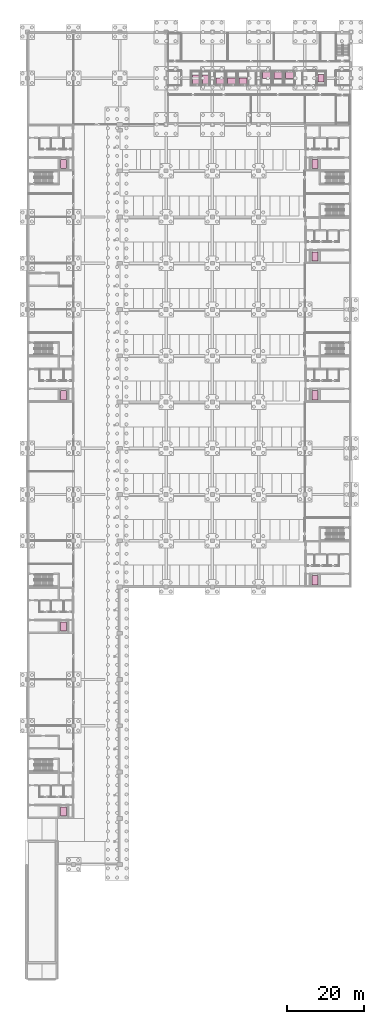
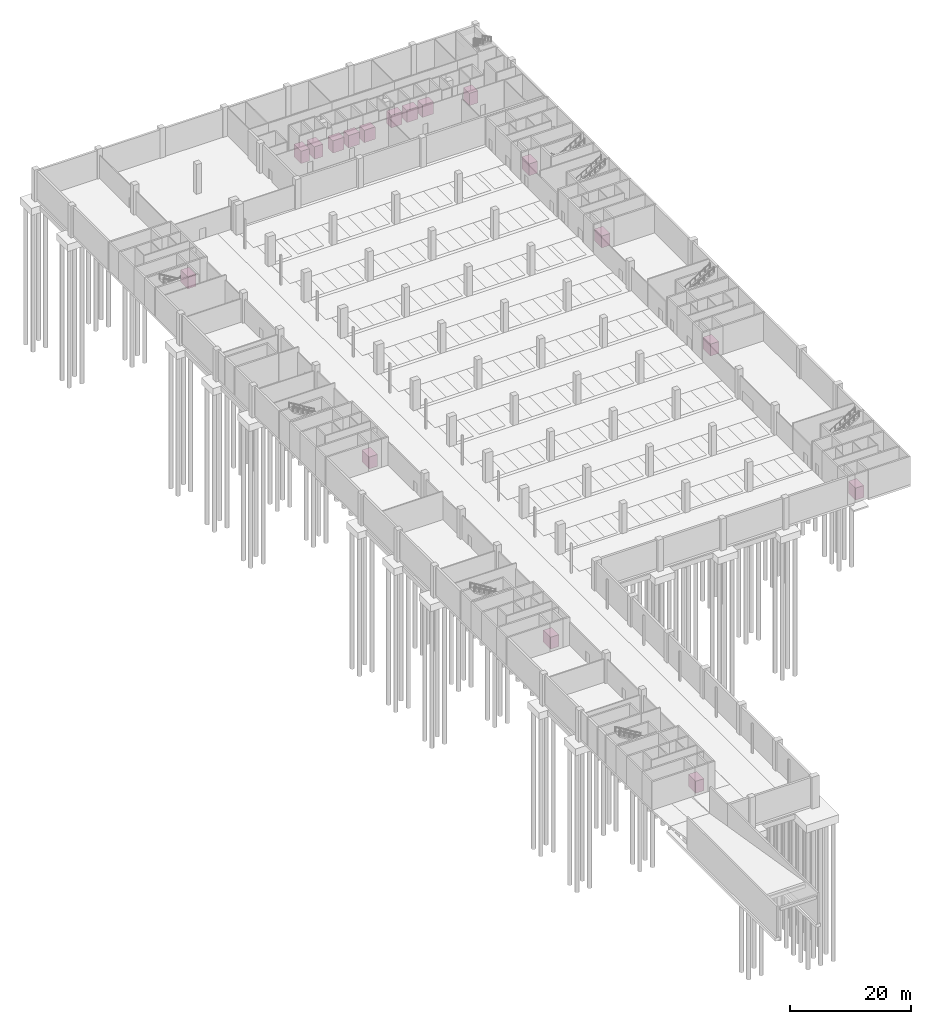
# One storey, part 34 of 34: 17 transport elements.
"""IFC4 building model written with IfcOpenShell, lengths in metres."""

from ifc_helpers import new_model, si_unit, direction, frame, origin, origin_2d, place, context, subcontext, project, spatial, rectangle, extrude, material, type_object, element, save


model = new_model("IFC4")

# Units and contexts
model_context = context("Model", 3, precision=1e-05, world=origin(), true_north=direction((0.0, 1.0)))
body_context = subcontext(model_context, "Body", "Model", "MODEL_VIEW")
ifc_project = project(units=[si_unit("LENGTHUNIT", "METRE"), si_unit("AREAUNIT", "SQUARE_METRE"), si_unit("VOLUMEUNIT", "CUBIC_METRE"), si_unit("PLANEANGLEUNIT", "RADIAN"), si_unit("MASSUNIT", "GRAM", prefix="KILO")], contexts=[model_context])

# Site, building, storey
site_placement = place(None, origin())
site = spatial("IfcSite", under=ifc_project, at=site_placement, CompositionType="ELEMENT")
building_placement = place(site_placement, origin())
building = spatial("IfcBuilding", under=site, at=building_placement, Name="Lilac Gate Convention Centre", CompositionType="ELEMENT")
storey_placement = place(building_placement, frame((0.0, 0.0, -6.0)))
storey = spatial("IfcBuildingStorey", under=building, at=storey_placement, Name="B1", CompositionType="ELEMENT", Elevation=-6.0)

# Transport elements
ifc_material_1 = material(Name="Stainless steel 304", Category="steel")
transport_element_type_1 = type_object("IfcTransportElementType", Name="Passenger lift 1600 kg", PredefinedType="ELEVATOR", material=ifc_material_1)
for number, where, z_axis, x_axis, name in (
    (1, (15.39990234375, 43.75, 0.050048828125), (0.0, 0.0, 1.0), (1.0, 0.0, 0.0), "Passenger lift W1"),
    (2, (15.39990234375, 91.75, 0.050048828125), (0.0, 0.0, 1.0), (1.0, 0.0, 0.0), "Passenger lift W2"),
    (3, (15.39990234375, 151.75, 0.050048828125), (0.0, 0.0, 1.0), (1.0, 0.0, 0.0), "Passenger lift W3"),
    (4, (15.39990234375, 211.75, 0.050048828125), (0.0, 0.0, 1.0), (1.0, 0.0, 0.0), "Passenger lift W4"),
):
    element("IfcTransportElement", number, at=place(storey_placement, frame(where, z_axis=z_axis, x_axis=x_axis)), inside=storey, type_object=transport_element_type_1, Name=name, PredefinedType="ELEVATOR", context=body_context, shape_type="SweptSolid", body=[
        extrude(rectangle(XDim=1.60009765625, YDim=2.39990234375, at=origin_2d()), origin(), (0.0, 0.0, 1.0), 2.39990234375),
    ])
transport_element_type_2 = type_object("IfcTransportElementType", Name="Service lift 1600 kg", PredefinedType="ELEVATOR", material=ifc_material_1)
for number, where, z_axis, x_axis, name in (
    (5, (80.60009765625, 103.75, 0.050048828125), (0.0, 0.0, 1.0), (1.0, 0.0, 0.0), "Service lift E1"),
    (6, (80.60009765625, 151.75, 0.050048828125), (0.0, 0.0, 1.0), (1.0, 0.0, 0.0), "Service lift E2"),
    (7, (80.60009765625, 187.75, 0.050048828125), (0.0, 0.0, 1.0), (1.0, 0.0, 0.0), "Service lift E3"),
    (8, (80.60009765625, 211.75, 0.050048828125), (0.0, 0.0, 1.0), (1.0, 0.0, 0.0), "Service lift E4"),
):
    element("IfcTransportElement", number, at=place(storey_placement, frame(where, z_axis=z_axis, x_axis=x_axis)), inside=storey, type_object=transport_element_type_2, Name=name, PredefinedType="ELEVATOR", context=body_context, shape_type="SweptSolid", body=[
        extrude(rectangle(XDim=1.60009765625, YDim=2.39990234375, at=origin_2d()), origin(), (0.0, 0.0, 1.0), 2.39990234375),
    ])
ifc_material_2 = material(Name="Steel Q235B", Category="steel")
transport_element_type_3 = type_object("IfcTransportElementType", Name="Tower firefighting lift 1600 kg", PredefinedType="ELEVATOR", material=ifc_material_2)
transport_element_placement = place(storey_placement, frame((82.14990234375, 234.0, 0.050048828125), z_axis=(0.0, 0.0, 1.0), x_axis=(1.0, 0.0, 0.0)))
element("IfcTransportElement", 9, at=transport_element_placement, inside=storey, type_object=transport_element_type_3, Name="Tower firefighting lift TF1", PredefinedType="ELEVATOR", context=body_context, shape_type="SweptSolid", body=[
    extrude(rectangle(XDim=1.60009765625, YDim=2.0, at=origin_2d()), origin(), (0.0, 0.0, 1.0), 2.5),
])
transport_element_type_4 = type_object("IfcTransportElementType", Name="Tower passenger lift 1600 kg", PredefinedType="ELEVATOR", material=ifc_material_2)
for number, where, z_axis, x_axis, name in (
    (10, (56.0, 233.25, 0.050048828125), (0.0, 0.0, 1.0), (1.0, 0.0, 0.0), "Tower passenger lift TP1"),
    (11, (59.0, 233.25, 0.050048828125), (0.0, 0.0, 1.0), (1.0, 0.0, 0.0), "Tower passenger lift TP2"),
    (12, (62.0, 233.25, 0.050048828125), (0.0, 0.0, 1.0), (1.0, 0.0, 0.0), "Tower passenger lift TP3"),
    (13, (68.0, 234.75, 0.050048828125), (0.0, 0.0, 1.0), (1.0, 0.0, 0.0), "Tower passenger lift TP4"),
    (14, (71.0, 234.75, 0.050048828125), (0.0, 0.0, 1.0), (1.0, 0.0, 0.0), "Tower passenger lift TP5"),
    (15, (74.0, 234.75, 0.050048828125), (0.0, 0.0, 1.0), (1.0, 0.0, 0.0), "Tower passenger lift TP6"),
):
    element("IfcTransportElement", number, at=place(storey_placement, frame(where, z_axis=z_axis, x_axis=x_axis)), inside=storey, type_object=transport_element_type_4, Name=name, PredefinedType="ELEVATOR", context=body_context, shape_type="SweptSolid", body=[
        extrude(rectangle(XDim=2.10009765625, YDim=1.60009765625, at=origin_2d()), origin(), (0.0, 0.0, 1.0), 2.5),
    ])
transport_element_type_5 = type_object("IfcTransportElementType", Name="Tower service lift 2000 kg", PredefinedType="ELEVATOR", material=ifc_material_2)
for number, where, z_axis, x_axis, name in (
    (16, (49.675048828125, 233.64990234375, 0.050048828125), (0.0, 0.0, 1.0), (1.0, 0.0, 0.0), "Tower service lift TS1"),
    (17, (52.22509765625, 233.64990234375, 0.050048828125), (0.0, 0.0, 1.0), (1.0, 0.0, 0.0), "Tower service lift TS2"),
):
    element("IfcTransportElement", number, at=place(storey_placement, frame(where, z_axis=z_axis, x_axis=x_axis)), inside=storey, type_object=transport_element_type_5, Name=name, PredefinedType="ELEVATOR", context=body_context, shape_type="SweptSolid", body=[
        extrude(rectangle(XDim=1.60009765625, YDim=2.39990234375, at=origin_2d()), origin(), (0.0, 0.0, 1.0), 2.5),
    ])

save(model, "model.ifc")
